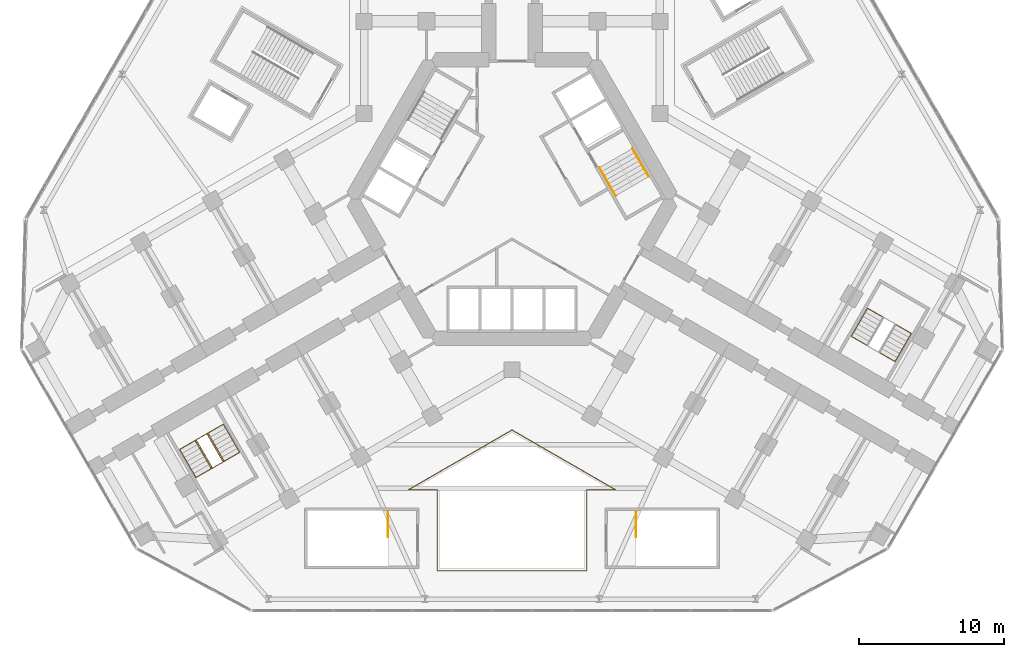
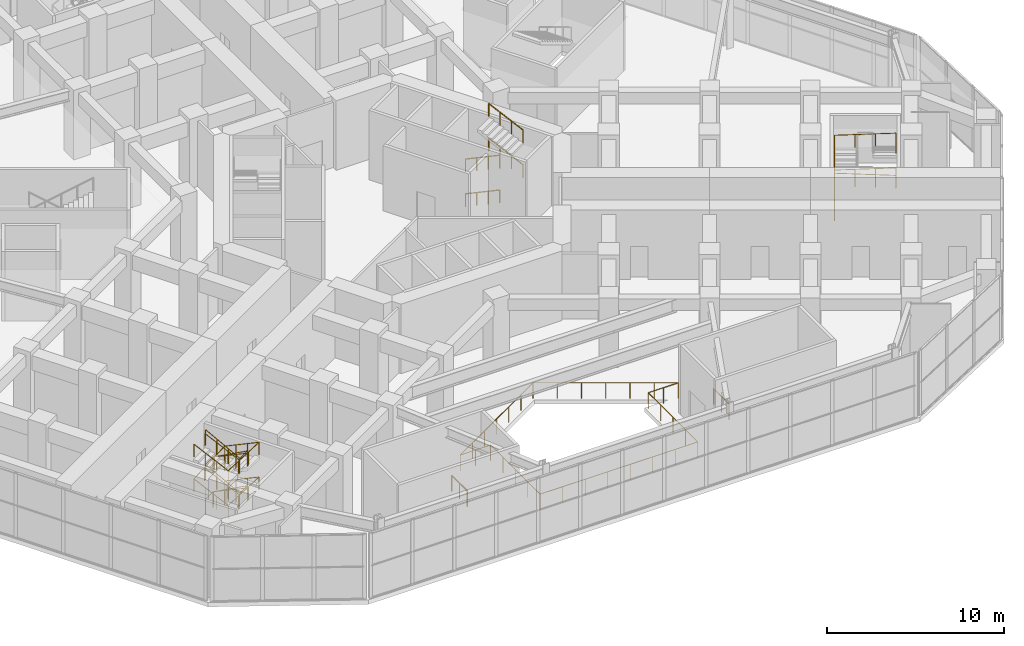
# One storey, part 20 of 22: 11 railings.
"""IFC4 building model written with IfcOpenShell, lengths in metres."""

from ifc_helpers import new_model, si_unit, direction, frame, origin, origin_2d, place, context, subcontext, project, spatial, circle, extrude, material, type_object, element, save


model = new_model("IFC4")

# Units and contexts
model_context = context("Model", 3, precision=1e-05, world=origin(), true_north=direction((0.0, 1.0)))
body_context = subcontext(model_context, "Body", "Model", "MODEL_VIEW")
ifc_project = project(units=[si_unit("LENGTHUNIT", "METRE"), si_unit("AREAUNIT", "SQUARE_METRE"), si_unit("VOLUMEUNIT", "CUBIC_METRE"), si_unit("PLANEANGLEUNIT", "RADIAN"), si_unit("MASSUNIT", "GRAM", prefix="KILO")], contexts=[model_context])

# Site, building, storey
site_placement = place(None, origin())
site = spatial("IfcSite", under=ifc_project, at=site_placement, CompositionType="ELEMENT")
building_placement = place(site_placement, origin())
building = spatial("IfcBuilding", under=site, at=building_placement, Name="Kosmar Iwan School Tower", CompositionType="ELEMENT")
storey_placement = place(building_placement, frame((0.0, 0.0, 15.60009765625)))
storey = spatial("IfcBuildingStorey", under=building, at=storey_placement, Name="L03", CompositionType="ELEMENT", Elevation=15.60009765625)

# Railings
ifc_material_1 = material(Name="Black steel and laminated glass", Category="steel")
railing_type_1 = type_object("IfcRailingType", Name="Atrium balustrade 1100", PredefinedType="BALUSTRADE", material=ifc_material_1)
railing_1_placement = place(storey_placement, frame((-5.14990234375, -25.64990234375, 0.0)))
element("IfcRailing", 1, at=railing_1_placement, inside=storey, type_object=railing_type_1, Name="Atrium balustrade L03", PredefinedType="BALUSTRADE", context=body_context, shape_type="SweptSolid", body=[
    extrude(circle(Radius=0.02392578125, at=origin_2d()), frame((0.0, 0.0, 1.076171875), z_axis=(1.0, 0.0, 0.0), x_axis=(0.0, 1.0, 0.0)), (0.0, 0.0, 1.0), 10.2998046875),
    extrude(circle(Radius=0.02392578125, at=origin_2d()), frame((10.2998046875, 0.0, 1.076171875), z_axis=(0.0, 1.0, 0.0), x_axis=(-1.0, 0.0, 0.0)), (0.0, 0.0, 1.0), 5.599853515625),
    extrude(circle(Radius=0.02392578125, at=origin_2d()), frame((10.2998046875, 5.599853515625, 1.076171875), z_axis=(1.0, 0.0, 0.0), x_axis=(0.0, 1.0, 0.0)), (0.0, 0.0, 1.0), 1.977783203125),
    extrude(circle(Radius=0.02392578125, at=origin_2d()), frame((12.277587890625, 5.599853515625, 1.076171875), z_axis=(-0.86602207841, 0.500005759674, 0.0), x_axis=(-0.500005759674, -0.86602207841, 0.0)), (0.0, 0.0, 1.0), 8.23046875),
    extrude(circle(Radius=0.02392578125, at=origin_2d()), frame((5.14990234375, 9.715087890625, 1.076171875), z_axis=(-0.86602207841, -0.500005759674, 0.0), x_axis=(0.500005759674, -0.86602207841, 0.0)), (0.0, 0.0, 1.0), 8.23046875),
    extrude(circle(Radius=0.02392578125, at=origin_2d()), frame((-1.977783203125, 5.599853515625, 1.076171875), z_axis=(1.0, 0.0, 0.0), x_axis=(0.0, 1.0, 0.0)), (0.0, 0.0, 1.0), 1.977783203125),
    extrude(circle(Radius=0.02392578125, at=origin_2d()), frame((0.0, 5.599853515625, 1.076171875), z_axis=(0.0, -1.0, 0.0), x_axis=(1.0, 0.0, 0.0)), (0.0, 0.0, 1.0), 5.599853515625),
    extrude(circle(Radius=0.02099609375, at=origin_2d()), origin(), (0.0, 0.0, 1.0), 1.052001953125),
    extrude(circle(Radius=0.02099609375, at=origin_2d()), frame((1.471435546875, 0.0, 0.0)), (0.0, 0.0, 1.0), 1.052001953125),
    extrude(circle(Radius=0.02099609375, at=origin_2d()), frame((2.94287109375, 0.0, 0.0)), (0.0, 0.0, 1.0), 1.052001953125),
    extrude(circle(Radius=0.02099609375, at=origin_2d()), frame((4.414306640625, 0.0, 0.0)), (0.0, 0.0, 1.0), 1.052001953125),
    extrude(circle(Radius=0.02099609375, at=origin_2d()), frame((5.885498046875, 0.0, 0.0)), (0.0, 0.0, 1.0), 1.052001953125),
    extrude(circle(Radius=0.02099609375, at=origin_2d()), frame((7.35693359375, 0.0, 0.0)), (0.0, 0.0, 1.0), 1.052001953125),
    extrude(circle(Radius=0.02099609375, at=origin_2d()), frame((8.828369140625, 0.0, 0.0)), (0.0, 0.0, 1.0), 1.052001953125),
    extrude(circle(Radius=0.02099609375, at=origin_2d()), frame((10.2998046875, 0.0, 0.0)), (0.0, 0.0, 1.0), 1.052001953125),
    extrude(circle(Radius=0.02099609375, at=origin_2d()), frame((10.2998046875, 1.39990234375, 0.0)), (0.0, 0.0, 1.0), 1.052001953125),
    extrude(circle(Radius=0.02099609375, at=origin_2d()), frame((10.2998046875, 2.7998046875, 0.0)), (0.0, 0.0, 1.0), 1.052001953125),
    extrude(circle(Radius=0.02099609375, at=origin_2d()), frame((10.2998046875, 4.199951171875, 0.0)), (0.0, 0.0, 1.0), 1.052001953125),
    extrude(circle(Radius=0.02099609375, at=origin_2d()), frame((10.2998046875, 5.599853515625, 0.0)), (0.0, 0.0, 1.0), 1.052001953125),
    extrude(circle(Radius=0.02099609375, at=origin_2d()), frame((11.28857421875, 5.599853515625, 0.0)), (0.0, 0.0, 1.0), 1.052001953125),
    extrude(circle(Radius=0.02099609375, at=origin_2d()), frame((12.277587890625, 5.599853515625, 0.0)), (0.0, 0.0, 1.0), 1.052001953125),
    extrude(circle(Radius=0.02099609375, at=origin_2d()), frame((11.089599609375, 6.28564453125, 0.0)), (0.0, 0.0, 1.0), 1.052001953125),
    extrude(circle(Radius=0.02099609375, at=origin_2d()), frame((9.901611328125, 6.9716796875, 0.0)), (0.0, 0.0, 1.0), 1.052001953125),
    extrude(circle(Radius=0.02099609375, at=origin_2d()), frame((8.7138671875, 7.657470703125, 0.0)), (0.0, 0.0, 1.0), 1.052001953125),
    extrude(circle(Radius=0.02099609375, at=origin_2d()), frame((7.52587890625, 8.34326171875, 0.0)), (0.0, 0.0, 1.0), 1.052001953125),
    extrude(circle(Radius=0.02099609375, at=origin_2d()), frame((6.337890625, 9.029296875, 0.0)), (0.0, 0.0, 1.0), 1.052001953125),
    extrude(circle(Radius=0.02099609375, at=origin_2d()), frame((5.14990234375, 9.715087890625, 0.0)), (0.0, 0.0, 1.0), 1.052001953125),
    extrude(circle(Radius=0.02099609375, at=origin_2d()), frame((3.9619140625, 9.029296875, 0.0)), (0.0, 0.0, 1.0), 1.052001953125),
    extrude(circle(Radius=0.02099609375, at=origin_2d()), frame((2.77392578125, 8.34326171875, 0.0)), (0.0, 0.0, 1.0), 1.052001953125),
    extrude(circle(Radius=0.02099609375, at=origin_2d()), frame((1.5859375, 7.657470703125, 0.0)), (0.0, 0.0, 1.0), 1.052001953125),
    extrude(circle(Radius=0.02099609375, at=origin_2d()), frame((0.398193359375, 6.9716796875, 0.0)), (0.0, 0.0, 1.0), 1.052001953125),
    extrude(circle(Radius=0.02099609375, at=origin_2d()), frame((-0.789794921875, 6.28564453125, 0.0)), (0.0, 0.0, 1.0), 1.052001953125),
    extrude(circle(Radius=0.02099609375, at=origin_2d()), frame((-1.977783203125, 5.599853515625, 0.0)), (0.0, 0.0, 1.0), 1.052001953125),
    extrude(circle(Radius=0.02099609375, at=origin_2d()), frame((-0.98876953125, 5.599853515625, 0.0)), (0.0, 0.0, 1.0), 1.052001953125),
    extrude(circle(Radius=0.02099609375, at=origin_2d()), frame((0.0, 5.599853515625, 0.0)), (0.0, 0.0, 1.0), 1.052001953125),
    extrude(circle(Radius=0.02099609375, at=origin_2d()), frame((0.0, 4.199951171875, 0.0)), (0.0, 0.0, 1.0), 1.052001953125),
    extrude(circle(Radius=0.02099609375, at=origin_2d()), frame((0.0, 2.7998046875, 0.0)), (0.0, 0.0, 1.0), 1.052001953125),
    extrude(circle(Radius=0.02099609375, at=origin_2d()), frame((0.0, 1.39990234375, 0.0)), (0.0, 0.0, 1.0), 1.052001953125),
])
ifc_material_2 = material(Name="Black steel", Category="steel")
railing_type_2 = type_object("IfcRailingType", Name="Stair handrail 900", PredefinedType="HANDRAIL", material=ifc_material_2)
railing_2_placement = place(storey_placement, frame((6.03466796875, 2.167724609375, 0.14990234375)))
element("IfcRailing", 2, at=railing_2_placement, inside=storey, type_object=railing_type_2, Name="Handrail ST1 flight 1", PredefinedType="HANDRAIL", context=body_context, shape_type="SweptSolid", body=[
    extrude(circle(Radius=0.02392578125, at=origin_2d()), frame((0.0, 0.0, 0.8759765625), z_axis=(0.45267848932, -0.784169015945, 0.424453931233), x_axis=(0.866054910533, 0.49994888933, 0.0)), (0.0, 0.0, 1.0), 2.473876953125),
    extrude(circle(Radius=0.02099609375, at=origin_2d()), origin(), (0.0, 0.0, 1.0), 0.851806640625),
    extrude(circle(Radius=0.02099609375, at=origin_2d()), frame((0.373291015625, -0.646728515625, 0.35009765625)), (0.0, 0.0, 1.0), 0.851806640625),
    extrude(circle(Radius=0.02099609375, at=origin_2d()), frame((0.74658203125, -1.293212890625, 0.699951171875)), (0.0, 0.0, 1.0), 0.851806640625),
    extrude(circle(Radius=0.02099609375, at=origin_2d()), frame((1.119873046875, -1.93994140625, 1.050048828125)), (0.0, 0.0, 1.0), 0.851806640625),
])
railing_3_placement = place(storey_placement, frame((9.432373046875, 1.542724609375, 1.349853515625)))
element("IfcRailing", 3, at=railing_3_placement, inside=storey, type_object=railing_type_2, Name="Handrail ST1 flight 2", PredefinedType="HANDRAIL", context=body_context, shape_type="SweptSolid", body=[
    extrude(circle(Radius=0.02392578125, at=origin_2d()), frame((0.0, 0.0, 0.8759765625), z_axis=(-0.452756948549, 0.784133982819, 0.424434968551), x_axis=(-0.866007717299, -0.500030632641, 0.0)), (0.0, 0.0, 1.0), 2.473876953125),
    extrude(circle(Radius=0.02099609375, at=origin_2d()), origin(), (0.0, 0.0, 1.0), 0.851806640625),
    extrude(circle(Radius=0.02099609375, at=origin_2d()), frame((-0.373291015625, 0.646728515625, 0.35009765625)), (0.0, 0.0, 1.0), 0.851806640625),
    extrude(circle(Radius=0.02099609375, at=origin_2d()), frame((-0.746826171875, 1.293212890625, 0.699951171875)), (0.0, 0.0, 1.0), 0.851806640625),
    extrude(circle(Radius=0.02099609375, at=origin_2d()), frame((-1.1201171875, 1.93994140625, 1.050048828125)), (0.0, 0.0, 1.0), 0.851806640625),
])
railing_4_placement = place(storey_placement, frame((6.03466796875, 2.167724609375, 2.5498046875)))
element("IfcRailing", 4, at=railing_4_placement, inside=storey, type_object=railing_type_2, Name="Handrail ST1 flight 3", PredefinedType="HANDRAIL", context=body_context, shape_type="SweptSolid", body=[
    extrude(circle(Radius=0.02392578125, at=origin_2d()), frame((0.0, 0.0, 0.8759765625), z_axis=(0.45267848932, -0.784169015945, 0.424453931233), x_axis=(0.866054910533, 0.49994888933, 0.0)), (0.0, 0.0, 1.0), 2.473876953125),
    extrude(circle(Radius=0.02099609375, at=origin_2d()), origin(), (0.0, 0.0, 1.0), 0.851806640625),
    extrude(circle(Radius=0.02099609375, at=origin_2d()), frame((0.373291015625, -0.646728515625, 0.35009765625)), (0.0, 0.0, 1.0), 0.851806640625),
    extrude(circle(Radius=0.02099609375, at=origin_2d()), frame((0.74658203125, -1.293212890625, 0.699951171875)), (0.0, 0.0, 1.0), 0.851806640625),
    extrude(circle(Radius=0.02099609375, at=origin_2d()), frame((1.119873046875, -1.93994140625, 1.050048828125)), (0.0, 0.0, 1.0), 0.851806640625),
])
railing_5_placement = place(storey_placement, frame((9.432373046875, 1.542724609375, 3.75)))
element("IfcRailing", 5, at=railing_5_placement, inside=storey, type_object=railing_type_2, Name="Handrail ST1 flight 4", PredefinedType="HANDRAIL", context=body_context, shape_type="SweptSolid", body=[
    extrude(circle(Radius=0.02392578125, at=origin_2d()), frame((0.0, 0.0, 0.8759765625), z_axis=(-0.452775911014, 0.784166824089, 0.424354057838), x_axis=(-0.866007717299, -0.500030632641, 0.0)), (0.0, 0.0, 1.0), 2.473876953125),
    extrude(circle(Radius=0.02099609375, at=origin_2d()), origin(), (0.0, 0.0, 1.0), 0.851806640625),
    extrude(circle(Radius=0.02099609375, at=origin_2d()), frame((-0.373291015625, 0.646728515625, 0.349853515625)), (0.0, 0.0, 1.0), 0.851806640625),
    extrude(circle(Radius=0.02099609375, at=origin_2d()), frame((-0.746826171875, 1.293212890625, 0.699951171875)), (0.0, 0.0, 1.0), 0.851806640625),
    extrude(circle(Radius=0.02099609375, at=origin_2d()), frame((-1.1201171875, 1.93994140625, 1.0498046875)), (0.0, 0.0, 1.0), 0.851806640625),
])
railing_6_placement = place(storey_placement, frame((-19.9091796875, -15.5361328125, 0.14990234375)))
element("IfcRailing", 6, at=railing_6_placement, inside=storey, type_object=railing_type_2, Name="Handrail stair WS2 L03 wall side", PredefinedType="HANDRAIL", context=body_context, shape_type="SweptSolid", body=[
    extrude(circle(Radius=0.02392578125, at=origin_2d()), frame((0.0, 0.0, 0.8759765625), z_axis=(0.45267848932, -0.784169015945, 0.424453931233), x_axis=(0.866054910533, 0.49994888933, 0.0)), (0.0, 0.0, 1.0), 2.473876953125),
    extrude(circle(Radius=0.02392578125, at=origin_2d()), frame((1.119873046875, -1.93994140625, 1.92578125), z_axis=(-0.865217314736, -0.499546646316, 0.043036570905), x_axis=(0.500009906705, -0.86601968407, 0.0)), (0.0, 0.0, 1.0), 3.483154296875),
    extrude(circle(Radius=0.02392578125, at=origin_2d()), frame((-1.893798828125, -3.679931640625, 2.07568359375), z_axis=(-0.452756948549, 0.784133982819, 0.424434968551), x_axis=(-0.866007717299, -0.500030632641, 0.0)), (0.0, 0.0, 1.0), 2.473876953125),
    extrude(circle(Radius=0.02392578125, at=origin_2d()), frame((-3.013916015625, -1.739990234375, 3.1259765625), z_axis=(0.865234934226, 0.499516352874, 0.043033961087), x_axis=(-0.499979528911, 0.866037222451, 0.0)), (0.0, 0.0, 1.0), 3.4833984375),
    extrude(circle(Radius=0.02392578125, at=origin_2d()), frame((0.0, 0.0, 3.27587890625), z_axis=(0.45267848932, -0.784169015945, 0.424453931233), x_axis=(0.866054910533, 0.49994888933, 0.0)), (0.0, 0.0, 1.0), 2.473876953125),
    extrude(circle(Radius=0.02392578125, at=origin_2d()), frame((1.119873046875, -1.93994140625, 4.32568359375), z_axis=(-0.865214702673, -0.499545138201, 0.043106532902), x_axis=(0.500009906705, -0.86601968407, 0.0)), (0.0, 0.0, 1.0), 3.483154296875),
    extrude(circle(Radius=0.02392578125, at=origin_2d()), frame((-1.893798828125, -3.679931640625, 4.47607421875), z_axis=(-0.452775911014, 0.784166824089, 0.424354057838), x_axis=(-0.866007717299, -0.500030632641, 0.0)), (0.0, 0.0, 1.0), 2.473876953125),
    extrude(circle(Radius=0.02099609375, at=origin_2d()), origin(), (0.0, 0.0, 1.0), 0.851806640625),
    extrude(circle(Radius=0.02099609375, at=origin_2d()), frame((0.373291015625, -0.646728515625, 0.35009765625)), (0.0, 0.0, 1.0), 0.851806640625),
    extrude(circle(Radius=0.02099609375, at=origin_2d()), frame((0.74658203125, -1.293212890625, 0.699951171875)), (0.0, 0.0, 1.0), 0.851806640625),
    extrude(circle(Radius=0.02099609375, at=origin_2d()), frame((1.119873046875, -1.93994140625, 1.050048828125)), (0.0, 0.0, 1.0), 0.851806640625),
    extrude(circle(Radius=0.02099609375, at=origin_2d()), frame((0.115234375, -2.52001953125, 1.10009765625)), (0.0, 0.0, 1.0), 0.851806640625),
    extrude(circle(Radius=0.02099609375, at=origin_2d()), frame((-0.88916015625, -3.099853515625, 1.14990234375)), (0.0, 0.0, 1.0), 0.851806640625),
    extrude(circle(Radius=0.02099609375, at=origin_2d()), frame((-1.893798828125, -3.679931640625, 1.199951171875)), (0.0, 0.0, 1.0), 0.851806640625),
    extrude(circle(Radius=0.02099609375, at=origin_2d()), frame((-2.26708984375, -3.033203125, 1.550048828125)), (0.0, 0.0, 1.0), 0.851806640625),
    extrude(circle(Radius=0.02099609375, at=origin_2d()), frame((-2.640625, -2.38671875, 1.89990234375)), (0.0, 0.0, 1.0), 0.851806640625),
    extrude(circle(Radius=0.02099609375, at=origin_2d()), frame((-3.013916015625, -1.739990234375, 2.25)), (0.0, 0.0, 1.0), 0.851806640625),
    extrude(circle(Radius=0.02099609375, at=origin_2d()), frame((-2.00927734375, -1.159912109375, 2.300048828125)), (0.0, 0.0, 1.0), 0.851806640625),
    extrude(circle(Radius=0.02099609375, at=origin_2d()), frame((-1.004638671875, -0.580078125, 2.349853515625)), (0.0, 0.0, 1.0), 0.851806640625),
    extrude(circle(Radius=0.02099609375, at=origin_2d()), frame((0.0, 0.0, 2.39990234375)), (0.0, 0.0, 1.0), 0.851806640625),
    extrude(circle(Radius=0.02099609375, at=origin_2d()), frame((0.373291015625, -0.646728515625, 2.75)), (0.0, 0.0, 1.0), 0.851806640625),
    extrude(circle(Radius=0.02099609375, at=origin_2d()), frame((0.74658203125, -1.293212890625, 3.099853515625)), (0.0, 0.0, 1.0), 0.851806640625),
    extrude(circle(Radius=0.02099609375, at=origin_2d()), frame((1.119873046875, -1.93994140625, 3.449951171875)), (0.0, 0.0, 1.0), 0.851806640625),
    extrude(circle(Radius=0.02099609375, at=origin_2d()), frame((0.115234375, -2.52001953125, 3.5)), (0.0, 0.0, 1.0), 0.851806640625),
    extrude(circle(Radius=0.02099609375, at=origin_2d()), frame((-0.88916015625, -3.099853515625, 3.550048828125)), (0.0, 0.0, 1.0), 0.851806640625),
    extrude(circle(Radius=0.02099609375, at=origin_2d()), frame((-1.893798828125, -3.679931640625, 3.60009765625)), (0.0, 0.0, 1.0), 0.851806640625),
    extrude(circle(Radius=0.02099609375, at=origin_2d()), frame((-2.26708984375, -3.033203125, 3.949951171875)), (0.0, 0.0, 1.0), 0.851806640625),
    extrude(circle(Radius=0.02099609375, at=origin_2d()), frame((-2.640625, -2.38671875, 4.300048828125)), (0.0, 0.0, 1.0), 0.851806640625),
    extrude(circle(Radius=0.02099609375, at=origin_2d()), frame((-3.013916015625, -1.739990234375, 4.64990234375)), (0.0, 0.0, 1.0), 0.851806640625),
])
railing_7_placement = place(storey_placement, frame((-20.974609375, -16.151123046875, 0.14990234375)))
element("IfcRailing", 7, at=railing_7_placement, inside=storey, type_object=railing_type_2, Name="Handrail stair WS2 L03 well side", PredefinedType="HANDRAIL", context=body_context, shape_type="SweptSolid", body=[
    extrude(circle(Radius=0.02392578125, at=origin_2d()), frame((0.0, 0.0, 0.8759765625), z_axis=(0.452756948549, -0.784133982819, 0.424434968551), x_axis=(0.866007717299, 0.500030632641, 0.0)), (0.0, 0.0, 1.0), 2.473876953125),
    extrude(circle(Radius=0.02392578125, at=origin_2d()), frame((1.1201171875, -1.93994140625, 1.92578125), z_axis=(-0.856806295441, -0.494712092641, 0.145406043505), x_axis=(0.500026340207, -0.866010195725, 0.0)), (0.0, 0.0, 1.0), 1.031005859375),
    extrude(circle(Radius=0.02392578125, at=origin_2d()), frame((0.23681640625, -2.449951171875, 2.07568359375), z_axis=(-0.452756948549, 0.784133982819, 0.424434968551), x_axis=(-0.866007717299, -0.500030632641, 0.0)), (0.0, 0.0, 1.0), 2.473876953125),
    extrude(circle(Radius=0.02392578125, at=origin_2d()), frame((-0.88330078125, -0.510009765625, 3.1259765625), z_axis=(0.856806295441, 0.494712092641, 0.145406043505), x_axis=(-0.500026340207, 0.866010195725, 0.0)), (0.0, 0.0, 1.0), 1.031005859375),
    extrude(circle(Radius=0.02392578125, at=origin_2d()), frame((0.0, 0.0, 3.27587890625), z_axis=(0.452756948549, -0.784133982819, 0.424434968551), x_axis=(0.866007717299, 0.500030632641, 0.0)), (0.0, 0.0, 1.0), 2.473876953125),
    extrude(circle(Radius=0.02392578125, at=origin_2d()), frame((1.1201171875, -1.93994140625, 4.32568359375), z_axis=(-0.856776769057, -0.494695044378, 0.14563784217), x_axis=(0.500026340207, -0.866010195725, 0.0)), (0.0, 0.0, 1.0), 1.031005859375),
    extrude(circle(Radius=0.02392578125, at=origin_2d()), frame((0.23681640625, -2.449951171875, 4.47607421875), z_axis=(-0.452775911014, 0.784166824089, 0.424354057838), x_axis=(-0.866007717299, -0.500030632641, 0.0)), (0.0, 0.0, 1.0), 2.473876953125),
    extrude(circle(Radius=0.02099609375, at=origin_2d()), origin(), (0.0, 0.0, 1.0), 0.851806640625),
    extrude(circle(Radius=0.02099609375, at=origin_2d()), frame((0.373291015625, -0.646728515625, 0.35009765625)), (0.0, 0.0, 1.0), 0.851806640625),
    extrude(circle(Radius=0.02099609375, at=origin_2d()), frame((0.746826171875, -1.293212890625, 0.699951171875)), (0.0, 0.0, 1.0), 0.851806640625),
    extrude(circle(Radius=0.02099609375, at=origin_2d()), frame((1.1201171875, -1.93994140625, 1.050048828125)), (0.0, 0.0, 1.0), 0.851806640625),
    extrude(circle(Radius=0.02099609375, at=origin_2d()), frame((0.23681640625, -2.449951171875, 1.199951171875)), (0.0, 0.0, 1.0), 0.851806640625),
    extrude(circle(Radius=0.02099609375, at=origin_2d()), frame((-0.136474609375, -1.80322265625, 1.550048828125)), (0.0, 0.0, 1.0), 0.851806640625),
    extrude(circle(Radius=0.02099609375, at=origin_2d()), frame((-0.510009765625, -1.15673828125, 1.89990234375)), (0.0, 0.0, 1.0), 0.851806640625),
    extrude(circle(Radius=0.02099609375, at=origin_2d()), frame((-0.88330078125, -0.510009765625, 2.25)), (0.0, 0.0, 1.0), 0.851806640625),
    extrude(circle(Radius=0.02099609375, at=origin_2d()), frame((0.0, 0.0, 2.39990234375)), (0.0, 0.0, 1.0), 0.851806640625),
    extrude(circle(Radius=0.02099609375, at=origin_2d()), frame((0.373291015625, -0.646728515625, 2.75)), (0.0, 0.0, 1.0), 0.851806640625),
    extrude(circle(Radius=0.02099609375, at=origin_2d()), frame((0.746826171875, -1.293212890625, 3.099853515625)), (0.0, 0.0, 1.0), 0.851806640625),
    extrude(circle(Radius=0.02099609375, at=origin_2d()), frame((1.1201171875, -1.93994140625, 3.449951171875)), (0.0, 0.0, 1.0), 0.851806640625),
    extrude(circle(Radius=0.02099609375, at=origin_2d()), frame((0.23681640625, -2.449951171875, 3.60009765625)), (0.0, 0.0, 1.0), 0.851806640625),
    extrude(circle(Radius=0.02099609375, at=origin_2d()), frame((-0.136474609375, -1.80322265625, 3.949951171875)), (0.0, 0.0, 1.0), 0.851806640625),
    extrude(circle(Radius=0.02099609375, at=origin_2d()), frame((-0.510009765625, -1.15673828125, 4.300048828125)), (0.0, 0.0, 1.0), 0.851806640625),
    extrude(circle(Radius=0.02099609375, at=origin_2d()), frame((-0.88330078125, -0.510009765625, 4.64990234375)), (0.0, 0.0, 1.0), 0.851806640625),
])
railing_8_placement = place(storey_placement, frame((23.4091796875, -9.473876953125, 0.14990234375)))
element("IfcRailing", 8, at=railing_8_placement, inside=storey, type_object=railing_type_2, Name="Handrail stair WS3 L03 wall side", PredefinedType="HANDRAIL", context=body_context, shape_type="SweptSolid", body=[
    extrude(circle(Radius=0.02392578125, at=origin_2d()), frame((0.0, 0.0, 0.8759765625), z_axis=(0.452756948549, 0.784133982819, 0.424434968551), x_axis=(-0.866007717299, 0.500030632641, 0.0)), (0.0, 0.0, 1.0), 2.473876953125),
    extrude(circle(Radius=0.02392578125, at=origin_2d()), frame((1.1201171875, 1.93994140625, 1.92578125), z_axis=(0.865217314736, -0.499546646316, 0.043036570905), x_axis=(0.500009906705, 0.86601968407, 0.0)), (0.0, 0.0, 1.0), 3.483154296875),
    extrude(circle(Radius=0.02392578125, at=origin_2d()), frame((4.1337890625, 0.199951171875, 2.07568359375), z_axis=(-0.45267848932, -0.784169015945, 0.424453931233), x_axis=(0.866054910533, -0.49994888933, 0.0)), (0.0, 0.0, 1.0), 2.473876953125),
    extrude(circle(Radius=0.02392578125, at=origin_2d()), frame((3.013916015625, -1.739990234375, 3.1259765625), z_axis=(-0.865234934226, 0.499516352874, 0.043033961087), x_axis=(-0.499979528911, -0.866037222451, 0.0)), (0.0, 0.0, 1.0), 3.4833984375),
    extrude(circle(Radius=0.02392578125, at=origin_2d()), frame((0.0, 0.0, 3.27587890625), z_axis=(0.452756948549, 0.784133982819, 0.424434968551), x_axis=(-0.866007717299, 0.500030632641, 0.0)), (0.0, 0.0, 1.0), 2.473876953125),
    extrude(circle(Radius=0.02392578125, at=origin_2d()), frame((1.1201171875, 1.93994140625, 4.32568359375), z_axis=(0.865214702673, -0.499545138201, 0.043106532902), x_axis=(0.500009906705, 0.86601968407, 0.0)), (0.0, 0.0, 1.0), 3.483154296875),
    extrude(circle(Radius=0.02392578125, at=origin_2d()), frame((4.1337890625, 0.199951171875, 4.47607421875), z_axis=(-0.452697450193, -0.784201861617, 0.424373018494), x_axis=(0.866054910533, -0.49994888933, 0.0)), (0.0, 0.0, 1.0), 2.473876953125),
    extrude(circle(Radius=0.02099609375, at=origin_2d()), origin(), (0.0, 0.0, 1.0), 0.851806640625),
    extrude(circle(Radius=0.02099609375, at=origin_2d()), frame((0.373291015625, 0.646728515625, 0.35009765625)), (0.0, 0.0, 1.0), 0.851806640625),
    extrude(circle(Radius=0.02099609375, at=origin_2d()), frame((0.746826171875, 1.293212890625, 0.699951171875)), (0.0, 0.0, 1.0), 0.851806640625),
    extrude(circle(Radius=0.02099609375, at=origin_2d()), frame((1.1201171875, 1.93994140625, 1.050048828125)), (0.0, 0.0, 1.0), 0.851806640625),
    extrude(circle(Radius=0.02099609375, at=origin_2d()), frame((2.124755859375, 1.35986328125, 1.10009765625)), (0.0, 0.0, 1.0), 0.851806640625),
    extrude(circle(Radius=0.02099609375, at=origin_2d()), frame((3.129150390625, 0.780029296875, 1.14990234375)), (0.0, 0.0, 1.0), 0.851806640625),
    extrude(circle(Radius=0.02099609375, at=origin_2d()), frame((4.1337890625, 0.199951171875, 1.199951171875)), (0.0, 0.0, 1.0), 0.851806640625),
    extrude(circle(Radius=0.02099609375, at=origin_2d()), frame((3.760498046875, -0.44677734375, 1.550048828125)), (0.0, 0.0, 1.0), 0.851806640625),
    extrude(circle(Radius=0.02099609375, at=origin_2d()), frame((3.38720703125, -1.09326171875, 1.89990234375)), (0.0, 0.0, 1.0), 0.851806640625),
    extrude(circle(Radius=0.02099609375, at=origin_2d()), frame((3.013916015625, -1.739990234375, 2.25)), (0.0, 0.0, 1.0), 0.851806640625),
    extrude(circle(Radius=0.02099609375, at=origin_2d()), frame((2.00927734375, -1.159912109375, 2.300048828125)), (0.0, 0.0, 1.0), 0.851806640625),
    extrude(circle(Radius=0.02099609375, at=origin_2d()), frame((1.004638671875, -0.580078125, 2.349853515625)), (0.0, 0.0, 1.0), 0.851806640625),
    extrude(circle(Radius=0.02099609375, at=origin_2d()), frame((0.0, 0.0, 2.39990234375)), (0.0, 0.0, 1.0), 0.851806640625),
    extrude(circle(Radius=0.02099609375, at=origin_2d()), frame((0.373291015625, 0.646728515625, 2.75)), (0.0, 0.0, 1.0), 0.851806640625),
    extrude(circle(Radius=0.02099609375, at=origin_2d()), frame((0.746826171875, 1.293212890625, 3.099853515625)), (0.0, 0.0, 1.0), 0.851806640625),
    extrude(circle(Radius=0.02099609375, at=origin_2d()), frame((1.1201171875, 1.93994140625, 3.449951171875)), (0.0, 0.0, 1.0), 0.851806640625),
    extrude(circle(Radius=0.02099609375, at=origin_2d()), frame((2.124755859375, 1.35986328125, 3.5)), (0.0, 0.0, 1.0), 0.851806640625),
    extrude(circle(Radius=0.02099609375, at=origin_2d()), frame((3.129150390625, 0.780029296875, 3.550048828125)), (0.0, 0.0, 1.0), 0.851806640625),
    extrude(circle(Radius=0.02099609375, at=origin_2d()), frame((4.1337890625, 0.199951171875, 3.60009765625)), (0.0, 0.0, 1.0), 0.851806640625),
    extrude(circle(Radius=0.02099609375, at=origin_2d()), frame((3.760498046875, -0.44677734375, 3.949951171875)), (0.0, 0.0, 1.0), 0.851806640625),
    extrude(circle(Radius=0.02099609375, at=origin_2d()), frame((3.38720703125, -1.09326171875, 4.300048828125)), (0.0, 0.0, 1.0), 0.851806640625),
    extrude(circle(Radius=0.02099609375, at=origin_2d()), frame((3.013916015625, -1.739990234375, 4.64990234375)), (0.0, 0.0, 1.0), 0.851806640625),
])
ifc_material_3 = material(Name="Black steel", Category="steel")
railing_type_3 = type_object("IfcRailingType", Name="Stair well guard 1100", PredefinedType="GUARDRAIL", material=ifc_material_3)
railing_9_placement = place(storey_placement, frame((-21.780029296875, -16.6162109375, 0.0)))
element("IfcRailing", 9, at=railing_9_placement, inside=storey, type_object=railing_type_3, Name="Stair WS2 L03 well guard", PredefinedType="GUARDRAIL", context=body_context, shape_type="SweptSolid", body=[
    extrude(circle(Radius=0.02392578125, at=origin_2d()), frame((0.0, 0.0, 1.076171875), z_axis=(0.865962960534, 0.500108139288, 0.0), x_axis=(-0.500108139288, 0.865962960534, 0.0)), (0.0, 0.0, 1.0), 0.840087890625),
    extrude(circle(Radius=0.02392578125, at=origin_2d()), frame((0.7275390625, 0.420166015625, 1.076171875), z_axis=(0.440775248085, -0.763382764011, 0.472190572), x_axis=(0.866007717299, 0.500030632641, 0.0)), (0.0, 0.0, 1.0), 2.541259765625),
    extrude(circle(Radius=0.02392578125, at=origin_2d()), frame((1.84765625, -1.519775390625, 2.27587890625), z_axis=(-0.866088799389, -0.499890179513, 0.0), x_axis=(0.499890179513, -0.866088799389, 0.0)), (0.0, 0.0, 1.0), 0.840087890625),
    extrude(circle(Radius=0.02392578125, at=origin_2d()), frame((1.1201171875, -1.939697265625, 2.27587890625), z_axis=(-0.440807575709, 0.763342674152, 0.472225203707), x_axis=(-0.865980463445, -0.500077830873, 0.0)), (0.0, 0.0, 1.0), 2.541015625),
    extrude(circle(Radius=0.02392578125, at=origin_2d()), frame((0.0, 0.0, 3.47607421875), z_axis=(0.865962960534, 0.500108139288, 0.0), x_axis=(-0.500108139288, 0.865962960534, 0.0)), (0.0, 0.0, 1.0), 0.840087890625),
    extrude(circle(Radius=0.02392578125, at=origin_2d()), frame((0.7275390625, 0.420166015625, 3.47607421875), z_axis=(0.440775248085, -0.763382764011, 0.472190572), x_axis=(0.866007717299, 0.500030632641, 0.0)), (0.0, 0.0, 1.0), 2.541259765625),
    extrude(circle(Radius=0.02392578125, at=origin_2d()), frame((1.84765625, -1.519775390625, 4.67578125), z_axis=(-0.866088799389, -0.499890179513, 0.0), x_axis=(0.499890179513, -0.866088799389, 0.0)), (0.0, 0.0, 1.0), 0.840087890625),
    extrude(circle(Radius=0.02392578125, at=origin_2d()), frame((1.1201171875, -1.939697265625, 4.67578125), z_axis=(-0.440807575709, 0.763342674152, 0.472225203707), x_axis=(-0.865980463445, -0.500077830873, 0.0)), (0.0, 0.0, 1.0), 2.541015625),
    extrude(circle(Radius=0.02099609375, at=origin_2d()), origin(), (0.0, 0.0, 1.0), 1.052001953125),
    extrude(circle(Radius=0.02099609375, at=origin_2d()), frame((0.7275390625, 0.420166015625, 0.0)), (0.0, 0.0, 1.0), 1.052001953125),
    extrude(circle(Radius=0.02099609375, at=origin_2d()), frame((1.100830078125, -0.2265625, 0.39990234375)), (0.0, 0.0, 1.0), 1.052001953125),
    extrude(circle(Radius=0.02099609375, at=origin_2d()), frame((1.474365234375, -0.873046875, 0.800048828125)), (0.0, 0.0, 1.0), 1.052001953125),
    extrude(circle(Radius=0.02099609375, at=origin_2d()), frame((1.84765625, -1.519775390625, 1.199951171875)), (0.0, 0.0, 1.0), 1.052001953125),
    extrude(circle(Radius=0.02099609375, at=origin_2d()), frame((1.1201171875, -1.939697265625, 1.199951171875)), (0.0, 0.0, 1.0), 1.052001953125),
    extrude(circle(Radius=0.02099609375, at=origin_2d()), frame((0.746826171875, -1.293212890625, 1.599853515625)), (0.0, 0.0, 1.0), 1.052001953125),
    extrude(circle(Radius=0.02099609375, at=origin_2d()), frame((0.373291015625, -0.646484375, 2.0)), (0.0, 0.0, 1.0), 1.052001953125),
    extrude(circle(Radius=0.02099609375, at=origin_2d()), frame((0.0, 0.0, 2.39990234375)), (0.0, 0.0, 1.0), 1.052001953125),
    extrude(circle(Radius=0.02099609375, at=origin_2d()), frame((0.7275390625, 0.420166015625, 2.39990234375)), (0.0, 0.0, 1.0), 1.052001953125),
    extrude(circle(Radius=0.02099609375, at=origin_2d()), frame((1.100830078125, -0.2265625, 2.7998046875)), (0.0, 0.0, 1.0), 1.052001953125),
    extrude(circle(Radius=0.02099609375, at=origin_2d()), frame((1.474365234375, -0.873046875, 3.199951171875)), (0.0, 0.0, 1.0), 1.052001953125),
    extrude(circle(Radius=0.02099609375, at=origin_2d()), frame((1.84765625, -1.519775390625, 3.599853515625)), (0.0, 0.0, 1.0), 1.052001953125),
    extrude(circle(Radius=0.02099609375, at=origin_2d()), frame((1.1201171875, -1.939697265625, 3.599853515625)), (0.0, 0.0, 1.0), 1.052001953125),
    extrude(circle(Radius=0.02099609375, at=origin_2d()), frame((0.746826171875, -1.293212890625, 3.999755859375)), (0.0, 0.0, 1.0), 1.052001953125),
    extrude(circle(Radius=0.02099609375, at=origin_2d()), frame((0.373291015625, -0.646484375, 4.39990234375)), (0.0, 0.0, 1.0), 1.052001953125),
    extrude(circle(Radius=0.02099609375, at=origin_2d()), frame((0.0, 0.0, 4.7998046875)), (0.0, 0.0, 1.0), 1.052001953125),
])
for number, where, name in (
    (10, (-8.550048828125, -21.550048828125, 0.0), "School stair SS1 well guard"),
    (11, (8.550048828125, -21.550048828125, 0.0), "School stair SS2 well guard"),
):
    element("IfcRailing", number, at=place(storey_placement, frame(where)), inside=storey, type_object=railing_type_3, Name=name, PredefinedType="GUARDRAIL", context=body_context, shape_type="SweptSolid", body=[
        extrude(circle(Radius=0.02392578125, at=origin_2d()), frame((0.0, 0.0, 1.076171875), z_axis=(0.0, -1.0, 0.0), x_axis=(1.0, 0.0, 0.0)), (0.0, 0.0, 1.0), 1.75),
        extrude(circle(Radius=0.02099609375, at=origin_2d()), origin(), (0.0, 0.0, 1.0), 1.052001953125),
        extrude(circle(Radius=0.02099609375, at=origin_2d()), frame((0.0, -0.875, 0.0)), (0.0, 0.0, 1.0), 1.052001953125),
        extrude(circle(Radius=0.02099609375, at=origin_2d()), frame((0.0, -1.75, 0.0)), (0.0, 0.0, 1.0), 1.052001953125),
    ])

save(model, "model.ifc")
